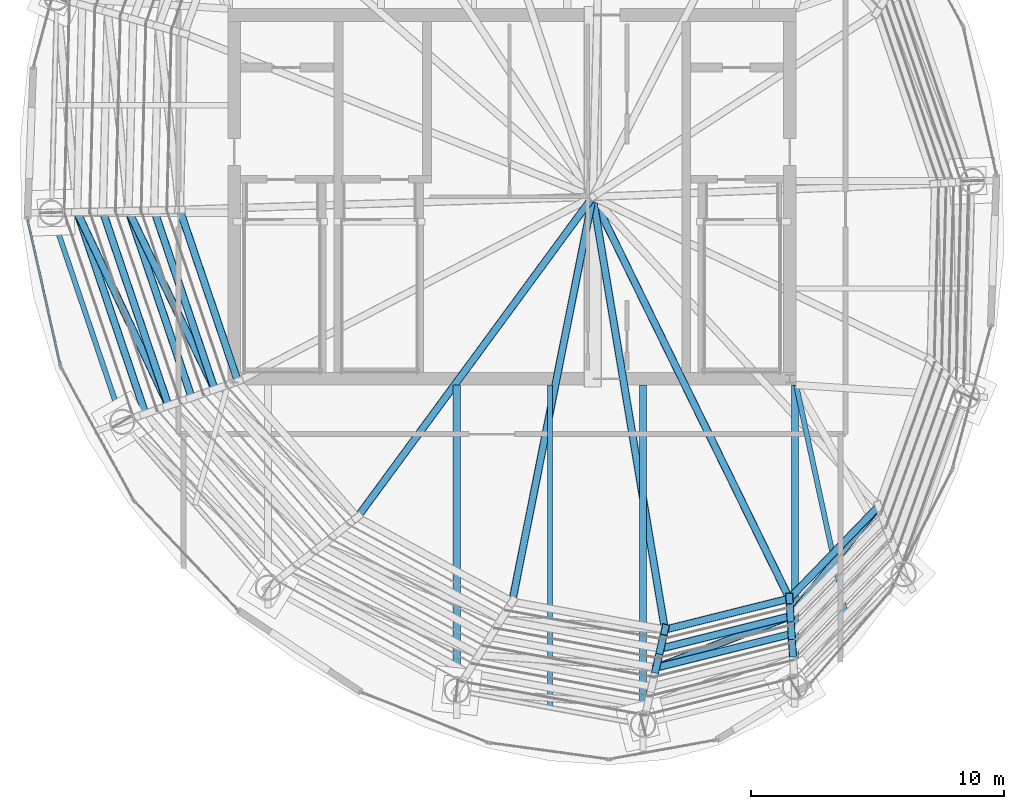
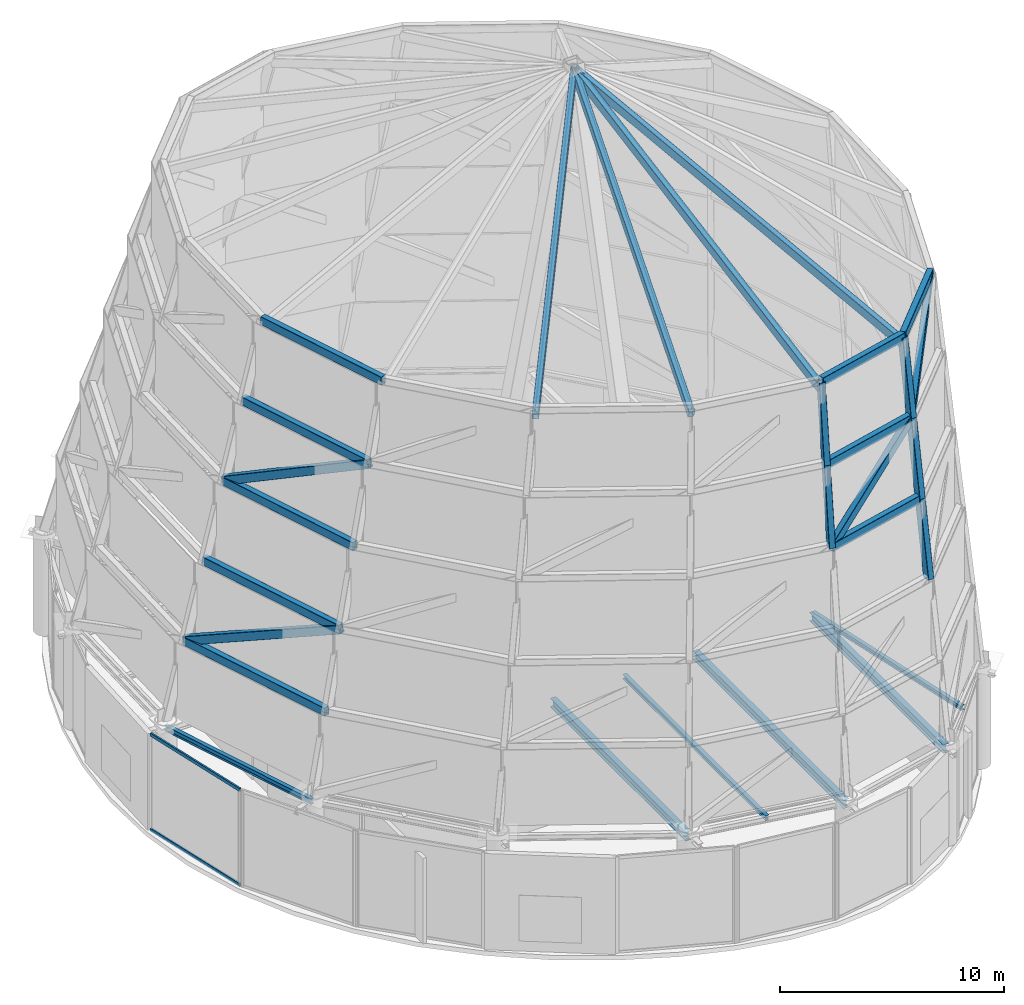
# One storey, part 10 of 40: 24 members, 6 beams, 1 element without a shape of its own.
"""IFC4 building model written with IfcOpenShell, lengths in metres."""

from ifc_helpers import new_model, si_unit, direction, frame, origin, origin_2d, place, context, subcontext, project, spatial, hollow_rectangle, i_section, extrude, material, layer, layer_set, material_profile, profile_set, type_object, element, aggregate, save


model = new_model("IFC4")

# Units and contexts
model_context = context("Model", 3, precision=1e-05, world=origin(), true_north=direction((0.0, 1.0)))
body_context = subcontext(model_context, "Body", "Model", "MODEL_VIEW")
ifc_project = project(units=[si_unit("LENGTHUNIT", "METRE"), si_unit("AREAUNIT", "SQUARE_METRE"), si_unit("VOLUMEUNIT", "CUBIC_METRE"), si_unit("PLANEANGLEUNIT", "RADIAN"), si_unit("MASSUNIT", "GRAM", prefix="KILO")], contexts=[model_context])

# Site, building, storey
site_placement = place(None, origin())
site = spatial("IfcSite", under=ifc_project, at=site_placement, CompositionType="ELEMENT")
building_placement = place(site_placement, origin())
building = spatial("IfcBuilding", under=site, at=building_placement, Name="Bramvorn Convention Spire", CompositionType="ELEMENT")
storey_placement = place(building_placement, frame((0.0, 0.0, 312.5)))
storey = spatial("IfcBuildingStorey", under=building, at=storey_placement, Name="L79", CompositionType="ELEMENT", Elevation=312.5)

# Beams
ifc_material_1 = material(Name="Steel CSA G40.21 Grade 350 (350W)", Category="steel")
ifc_material_profile_1 = material_profile(ifc_material_1, i_section(OverallWidth=0.201904296875, OverallDepth=0.2470703125, WebThickness=0.00732421875, FlangeThickness=0.010986328125, FilletRadius=0.011962890625, at=origin_2d()))
ifc_profile_set_1 = profile_set([ifc_material_profile_1], Name="Steel CSA G40.21 Grade 350 (350W) - W250X49")
beam_type_1 = type_object("IfcBeamType", Name="BM-W250X49", PredefinedType="JOIST", material=ifc_profile_set_1)
beam_1_placement = place(storey_placement, frame((49.25, 18.550048828125, 5.12646484375), z_axis=(0.211461445939, -0.977386339623, 0.0), x_axis=(0.977386339623, 0.211461445939, 0.0)))
element("IfcBeam", 1, at=beam_1_placement, inside=storey, type_object=beam_type_1, Name="L79 composite floor joist 01", PredefinedType="JOIST", context=body_context, shape_type="SweptSolid", body=[
    extrude(i_section(OverallWidth=0.201904296875, OverallDepth=0.2470703125, WebThickness=0.00732421875, FlangeThickness=0.010986328125, FilletRadius=0.011962890625, at=origin_2d()), origin(), (0.0, 0.0, 1.0), 9.9462890625),
])
beam_2_placement = place(storey_placement, frame((39.501953125, 18.550048828125, 5.12646484375), z_axis=(0.0, -1.0, 0.0), x_axis=(1.0, 0.0, 0.0)))
element("IfcBeam", 2, at=beam_2_placement, inside=storey, type_object=beam_type_1, Name="L79 composite floor joist 15", PredefinedType="JOIST", context=body_context, shape_type="SweptSolid", body=[
    extrude(i_section(OverallWidth=0.201904296875, OverallDepth=0.2470703125, WebThickness=0.00732421875, FlangeThickness=0.010986328125, FilletRadius=0.011962890625, at=origin_2d()), origin(), (0.0, 0.0, 1.0), 12.77587890625),
])
ifc_material_profile_2 = material_profile(ifc_material_1, i_section(OverallWidth=0.202880859375, OverallDepth=0.302978515625, WebThickness=0.007568359375, FlangeThickness=0.01318359375, FilletRadius=0.013916015625, at=origin_2d()))
ifc_profile_set_2 = profile_set([ifc_material_profile_2], Name="Steel CSA G40.21 Grade 350 (350W) - W310X60")
beam_type_2 = type_object("IfcBeamType", Name="BM-W310X60", PredefinedType="JOIST", material=ifc_profile_set_2)
beam_3_placement = place(storey_placement, frame((19.765380859375, 25.37060546875, 5.098388671875), z_axis=(0.320531023763, -0.947238018032, 0.0), x_axis=(0.947238018032, 0.320531023763, 0.0)))
element("IfcBeam", 3, at=beam_3_placement, inside=storey, type_object=beam_type_2, Name="L79 mega-column ring beam 12", PredefinedType="JOIST", context=body_context, shape_type="SweptSolid", body=[
    extrude(i_section(OverallWidth=0.202880859375, OverallDepth=0.302978515625, WebThickness=0.007568359375, FlangeThickness=0.01318359375, FilletRadius=0.013916015625, at=origin_2d()), origin(), (0.0, 0.0, 1.0), 8.74169921875),
])
ifc_material_profile_3 = material_profile(ifc_material_1, i_section(OverallWidth=0.283935546875, OverallDepth=0.47607421875, WebThickness=0.014892578125, FlangeThickness=0.02392578125, FilletRadius=0.01806640625, at=origin_2d()))
ifc_profile_set_3 = profile_set([ifc_material_profile_3], Name="Steel CSA G40.21 Grade 350 (350W) - W460X158")
beam_type_3 = type_object("IfcBeamType", Name="BM-W460X158", PredefinedType="SPANDREL", material=ifc_profile_set_3)
beam_4_placement = place(storey_placement, frame((49.199951171875, 18.550048828125, 5.011962890625), z_axis=(0.0, -1.0, 0.0), x_axis=(1.0, 0.0, 0.0)))
element("IfcBeam", 4, at=beam_4_placement, inside=storey, type_object=beam_type_3, Name="L79 radial floor girder MC01", PredefinedType="SPANDREL", context=body_context, shape_type="SweptSolid", body=[
    extrude(i_section(OverallWidth=0.283935546875, OverallDepth=0.47607421875, WebThickness=0.014892578125, FlangeThickness=0.02392578125, FilletRadius=0.01806640625, at=origin_2d()), origin(), (0.0, 0.0, 1.0), 11.948974609375),
])
beam_5_placement = place(storey_placement, frame((35.8154296875, 18.550048828125, 5.011962890625), z_axis=(0.0, -1.0, 0.0), x_axis=(1.0, 0.0, 0.0)))
element("IfcBeam", 5, at=beam_5_placement, inside=storey, type_object=beam_type_3, Name="L79 radial floor girder MC15", PredefinedType="SPANDREL", context=body_context, shape_type="SweptSolid", body=[
    extrude(i_section(OverallWidth=0.283935546875, OverallDepth=0.47607421875, WebThickness=0.014892578125, FlangeThickness=0.02392578125, FilletRadius=0.01806640625, at=origin_2d()), origin(), (0.0, 0.0, 1.0), 12.100830078125),
])
beam_6_placement = place(storey_placement, frame((43.1884765625, 18.550048828125, 5.011962890625), z_axis=(0.0, -1.0, 0.0), x_axis=(1.0, 0.0, 0.0)))
element("IfcBeam", 6, at=beam_6_placement, inside=storey, type_object=beam_type_3, Name="L79 radial floor girder MC16", PredefinedType="SPANDREL", context=body_context, shape_type="SweptSolid", body=[
    extrude(i_section(OverallWidth=0.283935546875, OverallDepth=0.47607421875, WebThickness=0.014892578125, FlangeThickness=0.02392578125, FilletRadius=0.01806640625, at=origin_2d()), origin(), (0.0, 0.0, 1.0), 13.450927734375),
])

# Curtain wall, members
ifc_material_2 = material(Name="Anodised Bronze Unitised Curtain Wall", Category="aluminium")
ifc_layer = layer(ifc_material_2, 0.199951171875)
ifc_layer_set = layer_set([ifc_layer], Name="Anodised Bronze Unitised Curtain Wall - CW-CROWN-SPIRE")
curtain_wall_type = type_object("IfcCurtainWallType", Name="CW-CROWN-SPIRE", PredefinedType="USERDEFINED", material=ifc_layer_set)
curtain_wall_placement = place(storey_placement, origin())
curtain_wall = element("IfcCurtainWall", 7, at=curtain_wall_placement, inside=storey, type_object=curtain_wall_type, Name="L79 fritted glass curtain wall 18", ObjectType="UNITISED CURTAIN WALL", PredefinedType="USERDEFINED")
ifc_material_3 = material(Name="Anodised Bronze Aluminium 6063-T6", Category="aluminium")
ifc_material_profile_4 = material_profile(ifc_material_3, hollow_rectangle(XDim=0.090087890625, YDim=0.179931640625, WallThickness=0.00439453125, InnerFilletRadius=0.0009765625, OuterFilletRadius=0.00439453125, at=origin_2d()))
ifc_profile_set_4 = profile_set([ifc_material_profile_4], Name="Anodised Bronze Aluminium 6063-T6 - CWT90X180")
member_type_1 = type_object("IfcMemberType", Name="CW-TRN-180", PredefinedType="USERDEFINED", material=ifc_profile_set_4)
member_1_placement = place(storey_placement, frame((20.119140625, 19.32470703125, 0.030029296875), z_axis=(-0.219345384236, 0.975647273565, 0.0), x_axis=(-0.975647273565, -0.219345384236, 0.0)))
member_1 = element("IfcMember", 8, at=member_1_placement, type_object=member_type_1, Name="CW6 transom 1.1", ObjectType="TRANSOM", PredefinedType="USERDEFINED", context=body_context, shape_type="SweptSolid", body=[
    extrude(hollow_rectangle(XDim=0.090087890625, YDim=0.179931640625, WallThickness=0.00439453125, InnerFilletRadius=0.0009765625, OuterFilletRadius=0.00439453125, at=origin_2d()), origin(), (0.0, 0.0, 1.0), 5.8857421875),
])
member_2_placement = place(storey_placement, frame((20.119140625, 19.32470703125, 5.219970703125), z_axis=(-0.219345384236, 0.975647273565, 0.0), x_axis=(-0.975647273565, -0.219345384236, 0.0)))
member_2 = element("IfcMember", 9, at=member_2_placement, type_object=member_type_1, Name="CW6 transom 1.2", ObjectType="TRANSOM", PredefinedType="USERDEFINED", context=body_context, shape_type="SweptSolid", body=[
    extrude(hollow_rectangle(XDim=0.090087890625, YDim=0.179931640625, WallThickness=0.00439453125, InnerFilletRadius=0.0009765625, OuterFilletRadius=0.00439453125, at=origin_2d()), origin(), (0.0, 0.0, 1.0), 5.8857421875),
])
aggregate(curtain_wall, [member_1, member_2])

# Members
ifc_material_profile_5 = material_profile(ifc_material_1, hollow_rectangle(XDim=0.300048828125, YDim=0.449951171875, WallThickness=0.02001953125, InnerFilletRadius=0.00390625, OuterFilletRadius=0.02392578125, at=origin_2d()))
ifc_profile_set_5 = profile_set([ifc_material_profile_5], Name="Steel CSA G40.21 Grade 350 (350W) - CROWN450X300X20")
member_type_2 = type_object("IfcMemberType", Name="MBR-CROWN450X300X20", PredefinedType="USERDEFINED", material=ifc_profile_set_5)
member_3_placement = place(storey_placement, frame((20.78173828125, 25.393310546875, 9.5), z_axis=(0.320535389265, -0.947236540801, 0.0), x_axis=(0.947236540801, 0.320535389265, 0.0)))
element("IfcMember", 10, at=member_3_placement, inside=storey, type_object=member_type_2, Name="Crown spire CROWN FRAME ring beam T1-12", ObjectType="CROWN FRAME", PredefinedType="USERDEFINED", context=body_context, shape_type="SweptSolid", body=[
    extrude(hollow_rectangle(XDim=0.300048828125, YDim=0.449951171875, WallThickness=0.02001953125, InnerFilletRadius=0.00390625, OuterFilletRadius=0.02392578125, at=origin_2d()), origin(), (0.0, 0.0, 1.0), 8.427001953125),
])
member_4_placement = place(storey_placement, frame((21.79833984375, 25.415771484375, 13.5), z_axis=(0.320513090341, -0.947244086242, 0.0), x_axis=(0.947244086242, 0.320513090341, 0.0)))
element("IfcMember", 11, at=member_4_placement, inside=storey, type_object=member_type_2, Name="Crown spire CROWN FRAME ring beam T2-12", ObjectType="CROWN FRAME", PredefinedType="USERDEFINED", context=body_context, shape_type="SweptSolid", body=[
    extrude(hollow_rectangle(XDim=0.300048828125, YDim=0.449951171875, WallThickness=0.02001953125, InnerFilletRadius=0.00390625, OuterFilletRadius=0.02392578125, at=origin_2d()), origin(), (0.0, 0.0, 1.0), 8.1123046875),
])
member_5_placement = place(storey_placement, frame((20.78173828125, 25.393310546875, 9.5), z_axis=(0.386013947756, -0.817758587987, 0.426924025924), x_axis=(0.904312612162, 0.426870822948, 0.0)))
element("IfcMember", 12, at=member_5_placement, inside=storey, type_object=member_type_2, Name="Crown spire CROWN FRAME wind brace T2-12", ObjectType="CROWN FRAME", PredefinedType="USERDEFINED", context=body_context, shape_type="SweptSolid", body=[
    extrude(hollow_rectangle(XDim=0.300048828125, YDim=0.449951171875, WallThickness=0.02001953125, InnerFilletRadius=0.00390625, OuterFilletRadius=0.02392578125, at=origin_2d()), origin(), (0.0, 0.0, 1.0), 9.369384765625),
])
member_6_placement = place(storey_placement, frame((49.113525390625, 7.997802734375, 13.5), z_axis=(-0.010641693997, 0.171950535768, 0.985048104205), x_axis=(-0.998090414538, -0.061769931249, 0.0)))
element("IfcMember", 13, at=member_6_placement, inside=storey, type_object=member_type_2, Name="Crown spire CROWN FRAME rib T3-01", ObjectType="CROWN FRAME", PredefinedType="USERDEFINED", context=body_context, shape_type="SweptSolid", body=[
    extrude(hollow_rectangle(XDim=0.300048828125, YDim=0.449951171875, WallThickness=0.02001953125, InnerFilletRadius=0.00390625, OuterFilletRadius=0.02392578125, at=origin_2d()), origin(), (0.0, 0.0, 1.0), 4.060791015625),
])
member_7_placement = place(storey_placement, frame((22.814697265625, 25.4384765625, 17.5), z_axis=(0.320545177302, -0.947233228571, 0.0), x_axis=(0.947233228571, 0.320545177302, 0.0)))
element("IfcMember", 14, at=member_7_placement, inside=storey, type_object=member_type_2, Name="Crown spire CROWN FRAME ring beam T3-12", ObjectType="CROWN FRAME", PredefinedType="USERDEFINED", context=body_context, shape_type="SweptSolid", body=[
    extrude(hollow_rectangle(XDim=0.300048828125, YDim=0.449951171875, WallThickness=0.02001953125, InnerFilletRadius=0.00390625, OuterFilletRadius=0.02392578125, at=origin_2d()), origin(), (0.0, 0.0, 1.0), 7.797607421875),
])
member_8_placement = place(storey_placement, frame((43.7080078125, 7.3564453125, 17.5), z_axis=(0.970184059122, 0.242369328556, 0.0), x_axis=(-0.242369328556, 0.970184059122, 0.0)))
element("IfcMember", 15, at=member_8_placement, inside=storey, type_object=member_type_2, Name="Crown spire CROWN FRAME ring beam T3-16", ObjectType="CROWN FRAME", PredefinedType="USERDEFINED", context=body_context, shape_type="SweptSolid", body=[
    extrude(hollow_rectangle(XDim=0.300048828125, YDim=0.449951171875, WallThickness=0.02001953125, InnerFilletRadius=0.00390625, OuterFilletRadius=0.02392578125, at=origin_2d()), origin(), (0.0, 0.0, 1.0), 5.527099609375),
])
member_9_placement = place(storey_placement, frame((49.0703125, 8.696044921875, 17.5), z_axis=(-0.010641583964, 0.172008879785, 0.98503791905), x_axis=(-0.998091745395, -0.061748423256, 0.0)))
element("IfcMember", 16, at=member_9_placement, inside=storey, type_object=member_type_2, Name="Crown spire CROWN FRAME rib T4-01", ObjectType="CROWN FRAME", PredefinedType="USERDEFINED", context=body_context, shape_type="SweptSolid", body=[
    extrude(hollow_rectangle(XDim=0.300048828125, YDim=0.449951171875, WallThickness=0.02001953125, InnerFilletRadius=0.00390625, OuterFilletRadius=0.02392578125, at=origin_2d()), origin(), (0.0, 0.0, 1.0), 4.060791015625),
])
member_10_placement = place(storey_placement, frame((23.831298828125, 25.461181640625, 21.5), z_axis=(0.320521414668, -0.94724126955, 0.0), x_axis=(0.94724126955, 0.320521414668, 0.0)))
element("IfcMember", 17, at=member_10_placement, inside=storey, type_object=member_type_2, Name="Crown spire CROWN FRAME ring beam T4-12", ObjectType="CROWN FRAME", PredefinedType="USERDEFINED", context=body_context, shape_type="SweptSolid", body=[
    extrude(hollow_rectangle(XDim=0.300048828125, YDim=0.449951171875, WallThickness=0.02001953125, InnerFilletRadius=0.00390625, OuterFilletRadius=0.02392578125, at=origin_2d()), origin(), (0.0, 0.0, 1.0), 7.48291015625),
])
member_11_placement = place(storey_placement, frame((22.814697265625, 25.4384765625, 17.5), z_axis=(0.387715339082, -0.802150551404, 0.454126974229), x_axis=(0.900344889702, 0.435177066937, 0.0)))
element("IfcMember", 18, at=member_11_placement, inside=storey, type_object=member_type_2, Name="Crown spire CROWN FRAME wind brace T4-12", ObjectType="CROWN FRAME", PredefinedType="USERDEFINED", context=body_context, shape_type="SweptSolid", body=[
    extrude(hollow_rectangle(XDim=0.300048828125, YDim=0.449951171875, WallThickness=0.02001953125, InnerFilletRadius=0.00390625, OuterFilletRadius=0.02392578125, at=origin_2d()), origin(), (0.0, 0.0, 1.0), 8.80810546875),
])
member_12_placement = place(storey_placement, frame((43.7080078125, 7.3564453125, 17.5), z_axis=(0.042549442833, 0.184700539172, 0.98187333997), x_axis=(-0.974476388511, 0.224490018119, 0.0)))
element("IfcMember", 19, at=member_12_placement, inside=storey, type_object=member_type_2, Name="Crown spire CROWN FRAME rib T4-16", ObjectType="CROWN FRAME", PredefinedType="USERDEFINED", context=body_context, shape_type="SweptSolid", body=[
    extrude(hollow_rectangle(XDim=0.300048828125, YDim=0.449951171875, WallThickness=0.02001953125, InnerFilletRadius=0.00390625, OuterFilletRadius=0.02392578125, at=origin_2d()), origin(), (0.0, 0.0, 1.0), 4.07373046875),
])
member_13_placement = place(storey_placement, frame((43.88134765625, 8.10888671875, 21.5), z_axis=(0.970177689463, 0.242394824345, 0.0), x_axis=(-0.242394824345, 0.970177689463, 0.0)))
element("IfcMember", 20, at=member_13_placement, inside=storey, type_object=member_type_2, Name="Crown spire CROWN FRAME ring beam T4-16", ObjectType="CROWN FRAME", PredefinedType="USERDEFINED", context=body_context, shape_type="SweptSolid", body=[
    extrude(hollow_rectangle(XDim=0.300048828125, YDim=0.449951171875, WallThickness=0.02001953125, InnerFilletRadius=0.00390625, OuterFilletRadius=0.02392578125, at=origin_2d()), origin(), (0.0, 0.0, 1.0), 5.303955078125),
])
member_14_placement = place(storey_placement, frame((43.7080078125, 7.3564453125, 17.5), z_axis=(0.764198426662, 0.292813534024, 0.574683390207), x_axis=(-0.35779836461, 0.933798870358, 0.0)))
element("IfcMember", 21, at=member_14_placement, inside=storey, type_object=member_type_2, Name="Crown spire CROWN FRAME wind brace T4-16", ObjectType="CROWN FRAME", PredefinedType="USERDEFINED", context=body_context, shape_type="SweptSolid", body=[
    extrude(hollow_rectangle(XDim=0.300048828125, YDim=0.449951171875, WallThickness=0.02001953125, InnerFilletRadius=0.00390625, OuterFilletRadius=0.02392578125, at=origin_2d()), origin(), (0.0, 0.0, 1.0), 6.96044921875),
])
member_15_placement = place(storey_placement, frame((49.027099609375, 9.39453125, 21.5), z_axis=(-0.010641693997, 0.171950535768, 0.985048104205), x_axis=(-0.998090414538, -0.061769931249, 0.0)))
element("IfcMember", 22, at=member_15_placement, inside=storey, type_object=member_type_2, Name="Crown spire CROWN FRAME rib T5-01", ObjectType="CROWN FRAME", PredefinedType="USERDEFINED", context=body_context, shape_type="SweptSolid", body=[
    extrude(hollow_rectangle(XDim=0.300048828125, YDim=0.449951171875, WallThickness=0.02001953125, InnerFilletRadius=0.00390625, OuterFilletRadius=0.02392578125, at=origin_2d()), origin(), (0.0, 0.0, 1.0), 4.060791015625),
])
member_16_placement = place(storey_placement, frame((48.98388671875, 10.0927734375, 25.5), z_axis=(0.694992289368, 0.719017188751, 0.0), x_axis=(-0.719017188751, 0.694992289368, 0.0)))
element("IfcMember", 23, at=member_16_placement, inside=storey, type_object=member_type_2, Name="Crown spire CROWN FRAME ring beam T5-01", ObjectType="CROWN FRAME", PredefinedType="USERDEFINED", context=body_context, shape_type="SweptSolid", body=[
    extrude(hollow_rectangle(XDim=0.300048828125, YDim=0.449951171875, WallThickness=0.02001953125, InnerFilletRadius=0.00390625, OuterFilletRadius=0.02392578125, at=origin_2d()), origin(), (0.0, 0.0, 1.0), 5.0810546875),
])
member_17_placement = place(storey_placement, frame((49.027099609375, 9.39453125, 21.5), z_axis=(0.50822862469, 0.634049625986, 0.582824790853), x_axis=(-0.78027480292, 0.625436832884, 0.0)))
element("IfcMember", 24, at=member_17_placement, inside=storey, type_object=member_type_2, Name="Crown spire CROWN FRAME wind brace T5-01", ObjectType="CROWN FRAME", PredefinedType="USERDEFINED", context=body_context, shape_type="SweptSolid", body=[
    extrude(hollow_rectangle(XDim=0.300048828125, YDim=0.449951171875, WallThickness=0.02001953125, InnerFilletRadius=0.00390625, OuterFilletRadius=0.02392578125, at=origin_2d()), origin(), (0.0, 0.0, 1.0), 6.863037109375),
])
member_18_placement = place(storey_placement, frame((24.84765625, 25.48388671875, 25.5), z_axis=(0.32052612498, -0.947239675692, 0.0), x_axis=(0.947239675692, 0.32052612498, 0.0)))
element("IfcMember", 25, at=member_18_placement, inside=storey, type_object=member_type_2, Name="Crown spire CROWN FRAME ring beam T5-12", ObjectType="CROWN FRAME", PredefinedType="USERDEFINED", context=body_context, shape_type="SweptSolid", body=[
    extrude(hollow_rectangle(XDim=0.300048828125, YDim=0.449951171875, WallThickness=0.02001953125, InnerFilletRadius=0.00390625, OuterFilletRadius=0.02392578125, at=origin_2d()), origin(), (0.0, 0.0, 1.0), 7.168212890625),
])
member_19_placement = place(storey_placement, frame((43.88134765625, 8.10888671875, 21.5), z_axis=(0.042549442833, 0.184700539172, 0.98187333997), x_axis=(-0.974476388511, 0.224490018119, 0.0)))
element("IfcMember", 26, at=member_19_placement, inside=storey, type_object=member_type_2, Name="Crown spire CROWN FRAME rib T5-16", ObjectType="CROWN FRAME", PredefinedType="USERDEFINED", context=body_context, shape_type="SweptSolid", body=[
    extrude(hollow_rectangle(XDim=0.300048828125, YDim=0.449951171875, WallThickness=0.02001953125, InnerFilletRadius=0.00390625, OuterFilletRadius=0.02392578125, at=origin_2d()), origin(), (0.0, 0.0, 1.0), 4.07373046875),
])
member_20_placement = place(storey_placement, frame((44.0546875, 8.861328125, 25.5), z_axis=(0.970182059964, 0.24237733088, 0.0), x_axis=(-0.24237733088, 0.970182059964, 0.0)))
element("IfcMember", 27, at=member_20_placement, inside=storey, type_object=member_type_2, Name="Crown spire CROWN FRAME ring beam T5-16", ObjectType="CROWN FRAME", PredefinedType="USERDEFINED", context=body_context, shape_type="SweptSolid", body=[
    extrude(hollow_rectangle(XDim=0.300048828125, YDim=0.449951171875, WallThickness=0.02001953125, InnerFilletRadius=0.00390625, OuterFilletRadius=0.02392578125, at=origin_2d()), origin(), (0.0, 0.0, 1.0), 5.080810546875),
])
member_21_placement = place(storey_placement, frame((48.98388671875, 10.0927734375, 25.1201171875), z_axis=(-0.400558792275, 0.818580706629, 0.411677398779), x_axis=(-0.898226796816, -0.439532275813, 0.0)))
element("IfcMember", 28, at=member_21_placement, inside=storey, type_object=member_type_2, Name="Crown glass-point apex rafter 01", ObjectType="CROWN FRAME", PredefinedType="USERDEFINED", context=body_context, shape_type="SweptSolid", body=[
    extrude(hollow_rectangle(XDim=0.300048828125, YDim=0.449951171875, WallThickness=0.02001953125, InnerFilletRadius=0.00390625, OuterFilletRadius=0.02392578125, at=origin_2d()), origin(), (0.0, 0.0, 1.0), 19.4326171875),
])
member_22_placement = place(storey_placement, frame((31.876708984375, 13.30908203125, 25.1201171875), z_axis=(0.527839670782, 0.718502193532, 0.452923702006), x_axis=(-0.805902947796, 0.592047665931, 0.0)))
element("IfcMember", 29, at=member_22_placement, inside=storey, type_object=member_type_2, Name="Crown glass-point apex rafter 14", ObjectType="CROWN FRAME", PredefinedType="USERDEFINED", context=body_context, shape_type="SweptSolid", body=[
    extrude(hollow_rectangle(XDim=0.300048828125, YDim=0.449951171875, WallThickness=0.02001953125, InnerFilletRadius=0.00390625, OuterFilletRadius=0.02392578125, at=origin_2d()), origin(), (0.0, 0.0, 1.0), 17.6630859375),
])
member_23_placement = place(storey_placement, frame((38.0087890625, 9.96826171875, 25.1201171875), z_axis=(0.175349126038, 0.880917734711, 0.439586884096), x_axis=(-0.980758921187, 0.19522279199, 0.0)))
element("IfcMember", 30, at=member_23_placement, inside=storey, type_object=member_type_2, Name="Crown glass-point apex rafter 15", ObjectType="CROWN FRAME", PredefinedType="USERDEFINED", context=body_context, shape_type="SweptSolid", body=[
    extrude(hollow_rectangle(XDim=0.300048828125, YDim=0.449951171875, WallThickness=0.02001953125, InnerFilletRadius=0.00390625, OuterFilletRadius=0.02392578125, at=origin_2d()), origin(), (0.0, 0.0, 1.0), 18.198974609375),
])
member_24_placement = place(storey_placement, frame((44.0546875, 8.861328125, 25.1201171875), z_axis=(-0.149243193682, 0.89599522761, 0.418233213936), x_axis=(-0.986409869453, -0.16430328495, 0.0)))
element("IfcMember", 31, at=member_24_placement, inside=storey, type_object=member_type_2, Name="Crown glass-point apex rafter 16", ObjectType="CROWN FRAME", PredefinedType="USERDEFINED", context=body_context, shape_type="SweptSolid", body=[
    extrude(hollow_rectangle(XDim=0.300048828125, YDim=0.449951171875, WallThickness=0.02001953125, InnerFilletRadius=0.00390625, OuterFilletRadius=0.02392578125, at=origin_2d()), origin(), (0.0, 0.0, 1.0), 19.128173828125),
])

save(model, "model.ifc")
